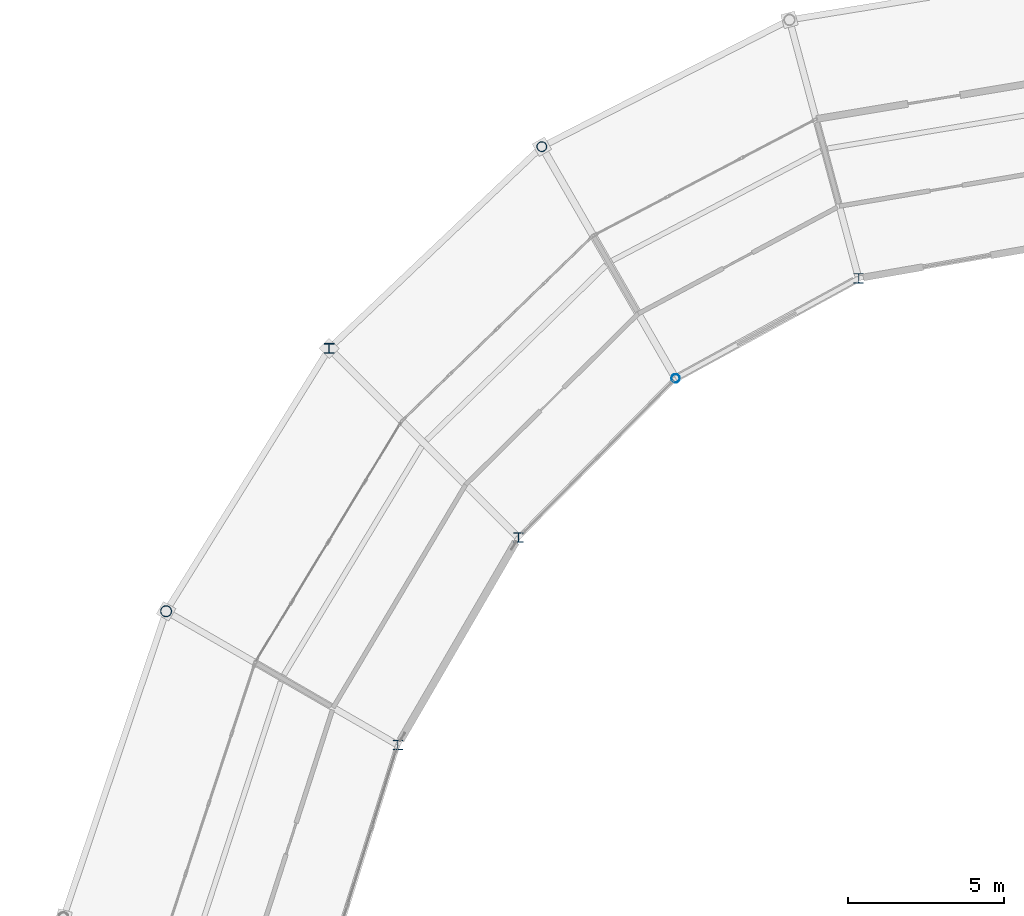
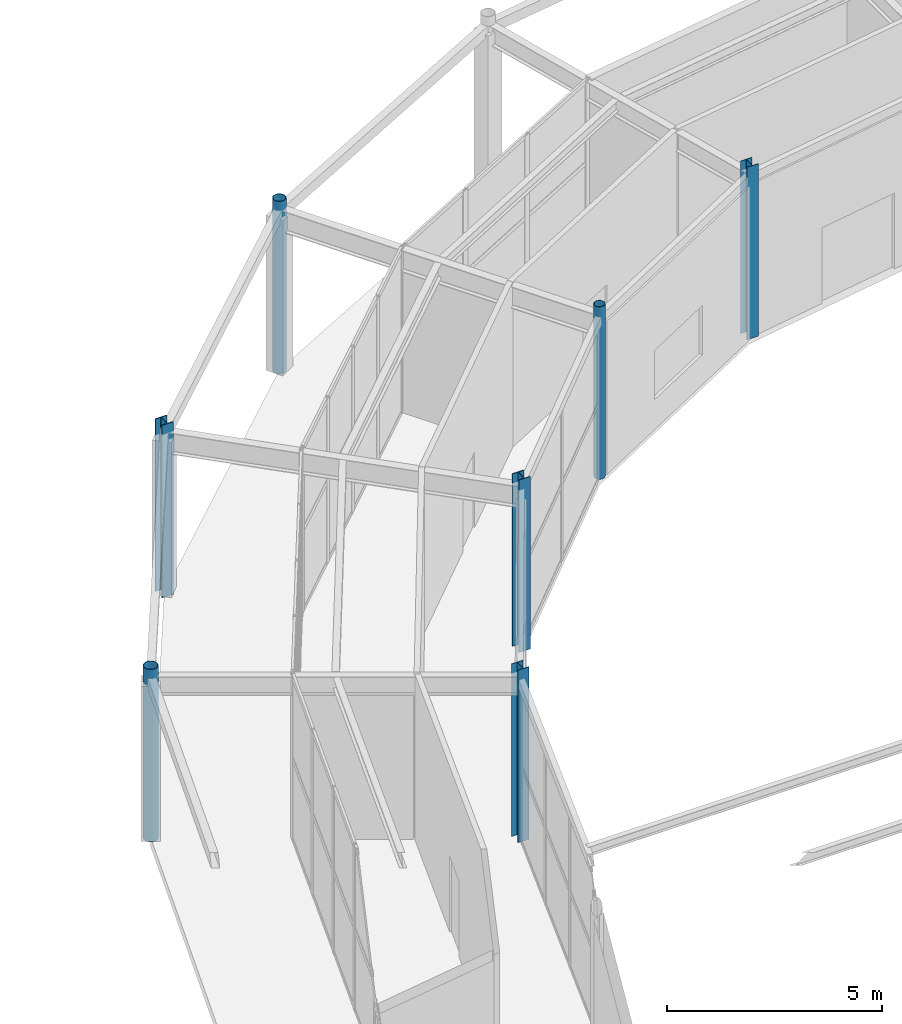
# One storey, part 12 of 144: 7 columns.
"""IFC4 building model written with IfcOpenShell, lengths in metres."""

from ifc_helpers import new_model, si_unit, direction, frame, origin, origin_2d, place, context, subcontext, project, spatial, hollow_circle, i_section, extrude, material, material_profile, profile_set, type_object, element, save


model = new_model("IFC4")

# Units and contexts
model_context = context("Model", 3, precision=1e-05, world=origin(), true_north=direction((0.0, 1.0)))
body_context = subcontext(model_context, "Body", "Model", "MODEL_VIEW")
ifc_project = project(units=[si_unit("LENGTHUNIT", "METRE"), si_unit("AREAUNIT", "SQUARE_METRE"), si_unit("VOLUMEUNIT", "CUBIC_METRE"), si_unit("PLANEANGLEUNIT", "RADIAN"), si_unit("MASSUNIT", "GRAM", prefix="KILO")], contexts=[model_context])

# Site, building, storey
site_placement = place(None, origin())
site = spatial("IfcSite", under=ifc_project, at=site_placement, CompositionType="ELEMENT")
building_placement = place(site_placement, origin())
building = spatial("IfcBuilding", under=site, at=building_placement, Name="Karori Crest Natural Sciences Institute", CompositionType="ELEMENT")
storey_placement = place(building_placement, origin())
storey = spatial("IfcBuildingStorey", under=building, at=storey_placement, Name="L00", CompositionType="ELEMENT", Elevation=0.0)

# Columns
ifc_material_1 = material(Name="Structural steel AS/NZS 3679.1 Grade 350", Category="steel")
ifc_material_profile_1 = material_profile(ifc_material_1, i_section(OverallWidth=0.31103515625, OverallDepth=0.326904296875, WebThickness=0.015625, FlangeThickness=0.02490234375, FilletRadius=0.01708984375, at=origin_2d()), Name="310UC158")
ifc_profile_set_1 = profile_set([ifc_material_profile_1], Name="Structural steel AS/NZS 3679.1 Grade 350")
column_type_1 = type_object("IfcColumnType", Name="CT-04", PredefinedType="COLUMN", material=ifc_profile_set_1)
column_1_placement = place(storey_placement, frame((43.0654296875, 78.75, 0.0), z_axis=(0.0, 0.0, 1.0), x_axis=(1.0, 0.0, 0.0)))
element("IfcColumn", 1, at=column_1_placement, inside=storey, type_object=column_type_1, Name="Column C-0159", PredefinedType="COLUMN", context=body_context, shape_type="SweptSolid", body=[
    extrude(i_section(OverallWidth=0.31103515625, OverallDepth=0.326904296875, WebThickness=0.015625, FlangeThickness=0.02490234375, FilletRadius=0.01708984375, at=origin_2d()), origin(), (0.0, 0.0, 1.0), 4.89990234375),
])
ifc_material_profile_2 = material_profile(ifc_material_1, i_section(OverallWidth=0.306884765625, OverallDepth=0.31494140625, WebThickness=0.011962890625, FlangeThickness=0.018798828125, FilletRadius=0.01708984375, at=origin_2d()), Name="310UC118")
ifc_profile_set_2 = profile_set([ifc_material_profile_2], Name="Structural steel AS/NZS 3679.1 Grade 350")
column_type_2 = type_object("IfcColumnType", Name="CT-05", PredefinedType="COLUMN", material=ifc_profile_set_2)
column_2_placement = place(storey_placement, frame((49.146484375, 72.668701171875, 0.0), z_axis=(0.0, 0.0, 1.0), x_axis=(1.0, 0.0, 0.0)))
element("IfcColumn", 2, at=column_2_placement, inside=storey, type_object=column_type_2, Name="Column C-0160", PredefinedType="COLUMN", context=body_context, shape_type="SweptSolid", body=[
    extrude(i_section(OverallWidth=0.306884765625, OverallDepth=0.31494140625, WebThickness=0.011962890625, FlangeThickness=0.018798828125, FilletRadius=0.01708984375, at=origin_2d()), origin(), (0.0, 0.0, 1.0), 4.89990234375),
])
ifc_material_2 = material(Name="Hollow structural steel AS/NZS 1163 Grade C350", Category="steel")
ifc_material_profile_3 = material_profile(ifc_material_2, hollow_circle(Radius=0.177734375, WallThickness=0.0126953125, at=origin_2d()), Name="CHS355.6x12.7")
ifc_profile_set_3 = profile_set([ifc_material_profile_3], Name="Hollow structural steel AS/NZS 1163 Grade C350")
column_type_3 = type_object("IfcColumnType", Name="CT-14", PredefinedType="COLUMN", material=ifc_profile_set_3)
column_3_placement = place(storey_placement, frame((37.8212890625, 70.300048828125, 0.0), z_axis=(0.0, 0.0, 1.0), x_axis=(1.0, 0.0, 0.0)))
element("IfcColumn", 3, at=column_3_placement, inside=storey, type_object=column_type_3, Name="Column C-0175", PredefinedType="COLUMN", context=body_context, shape_type="SweptSolid", body=[
    extrude(hollow_circle(Radius=0.177734375, WallThickness=0.0126953125, at=origin_2d()), origin(), (0.0, 0.0, 1.0), 4.89990234375),
])
ifc_material_profile_4 = material_profile(ifc_material_2, hollow_circle(Radius=0.161865234375, WallThickness=0.0126953125, at=origin_2d()), Name="CHS323.9x12.7")
ifc_profile_set_4 = profile_set([ifc_material_profile_4], Name="Hollow structural steel AS/NZS 1163 Grade C350")
column_type_4 = type_object("IfcColumnType", Name="CT-15", PredefinedType="COLUMN", material=ifc_profile_set_4)
column_4_placement = place(storey_placement, frame((49.89990234375, 85.23388671875, 0.0), z_axis=(0.0, 0.0, 1.0), x_axis=(1.0, 0.0, 0.0)))
element("IfcColumn", 4, at=column_4_placement, inside=storey, type_object=column_type_4, Name="Column C-0143", PredefinedType="COLUMN", context=body_context, shape_type="SweptSolid", body=[
    extrude(hollow_circle(Radius=0.161865234375, WallThickness=0.0126953125, at=origin_2d()), origin(), (0.0, 0.0, 1.0), 4.89990234375),
])
ifc_material_profile_5 = material_profile(ifc_material_2, hollow_circle(Radius=0.136474609375, WallThickness=0.00927734375, at=origin_2d()), Name="CHS273.0x9.3")
ifc_profile_set_5 = profile_set([ifc_material_profile_5], Name="Hollow structural steel AS/NZS 1163 Grade C350")
column_type_5 = type_object("IfcColumnType", Name="CT-16", PredefinedType="COLUMN", material=ifc_profile_set_5)
column_5_placement = place(storey_placement, frame((54.199951171875, 77.785888671875, 0.0), z_axis=(0.0, 0.0, 1.0), x_axis=(1.0, 0.0, 0.0)))
element("IfcColumn", 5, at=column_5_placement, inside=storey, type_object=column_type_5, Name="Column C-0144", PredefinedType="COLUMN", context=body_context, shape_type="SweptSolid", body=[
    extrude(hollow_circle(Radius=0.136474609375, WallThickness=0.00927734375, at=origin_2d()), origin(), (0.0, 0.0, 1.0), 4.89990234375),
])
ifc_material_profile_6 = material_profile(ifc_material_1, i_section(OverallWidth=0.304931640625, OverallDepth=0.30810546875, WebThickness=0.010009765625, FlangeThickness=0.015380859375, FilletRadius=0.01708984375, at=origin_2d()), Name="310UC96.8")
ifc_profile_set_6 = profile_set([ifc_material_profile_6], Name="Structural steel AS/NZS 3679.1 Grade 350")
column_type_6 = type_object("IfcColumnType", Name="CT-25", PredefinedType="COLUMN", material=ifc_profile_set_6)
for number, where, z_axis, x_axis, name in (
    (6, (60.084716796875, 81.002685546875, 0.0), (0.0, 0.0, 1.0), (1.0, 0.0, 0.0), "Column C-0128"),
    (7, (45.26904296875, 66.0, 0.0), (0.0, 0.0, 1.0), (1.0, 0.0, 0.0), "Column C-0176"),
):
    element("IfcColumn", number, at=place(storey_placement, frame(where, z_axis=z_axis, x_axis=x_axis)), inside=storey, type_object=column_type_6, Name=name, PredefinedType="COLUMN", context=body_context, shape_type="SweptSolid", body=[
        extrude(i_section(OverallWidth=0.304931640625, OverallDepth=0.30810546875, WebThickness=0.010009765625, FlangeThickness=0.015380859375, FilletRadius=0.01708984375, at=origin_2d()), origin(), (0.0, 0.0, 1.0), 4.89990234375),
    ])

save(model, "model.ifc")
